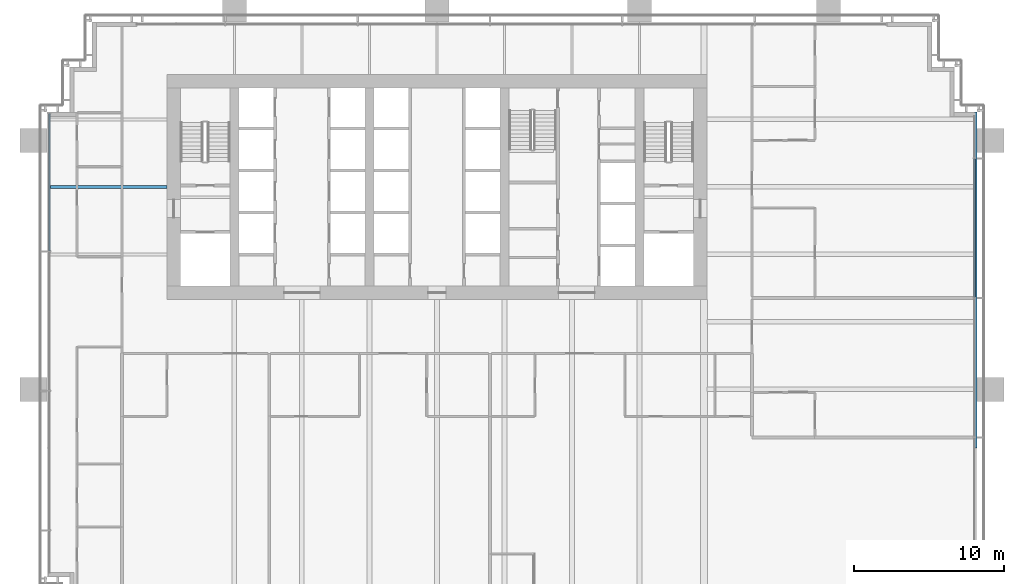
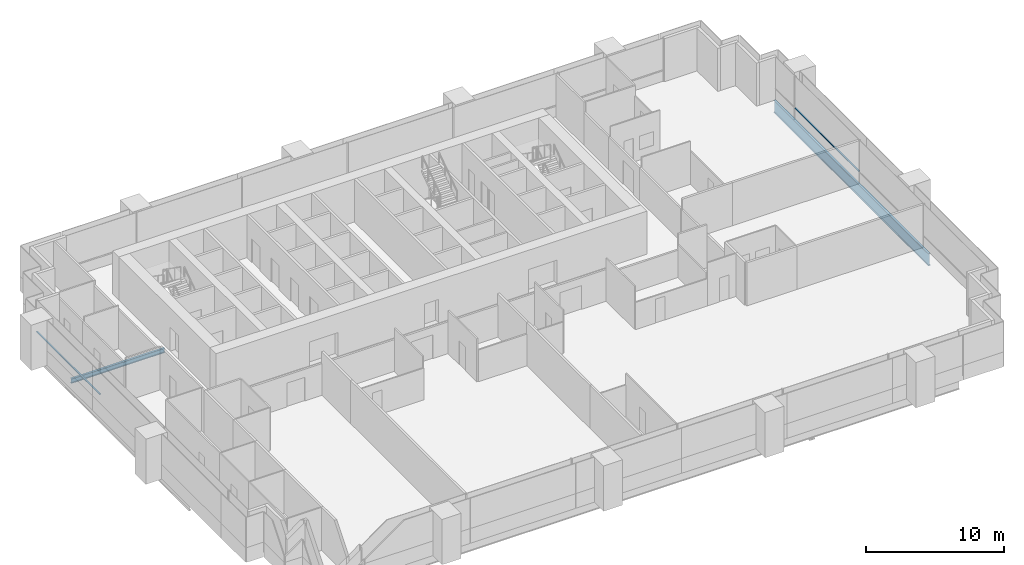
# One storey, part 7 of 19: 2 beams, 2 members, 2 elements without a shape of their own.
"""IFC4 building model written with IfcOpenShell, lengths in metres."""

from ifc_helpers import new_model, si_unit, direction, frame, origin, origin_2d, place, context, subcontext, project, spatial, rectangle, i_section, extrude, material, material_profile, profile_set, type_object, element, aggregate, save


model = new_model("IFC4")

# Units and contexts
model_context = context("Model", 3, precision=1e-05, world=origin(), true_north=direction((0.0, 1.0)))
body_context = subcontext(model_context, "Body", "Model", "MODEL_VIEW")
ifc_project = project(units=[si_unit("LENGTHUNIT", "METRE"), si_unit("AREAUNIT", "SQUARE_METRE"), si_unit("VOLUMEUNIT", "CUBIC_METRE"), si_unit("PLANEANGLEUNIT", "RADIAN"), si_unit("MASSUNIT", "GRAM", prefix="KILO")], contexts=[model_context])

# Site, building, storey
site_placement = place(None, origin())
site = spatial("IfcSite", under=ifc_project, at=site_placement, CompositionType="ELEMENT")
building_placement = place(site_placement, origin())
building = spatial("IfcBuilding", under=site, at=building_placement, Name="Rattan Terrace Tower", CompositionType="ELEMENT")
storey_placement = place(building_placement, frame((0.0, 0.0, 87.699951171875)))
storey = spatial("IfcBuildingStorey", under=building, at=storey_placement, Name="L19", CompositionType="ELEMENT", Elevation=87.699951171875)

# Curtain wall, member
ifc_material_1 = material(Name="Aluminium and glass", Category="aluminium")
curtain_wall_type = type_object("IfcCurtainWallType", Name="Facade Unitised Curtain Wall", PredefinedType="NOTDEFINED", material=ifc_material_1)
curtain_wall_1_placement = place(storey_placement, origin())
curtain_wall_1 = element("IfcCurtainWall", 1, at=curtain_wall_1_placement, inside=storey, type_object=curtain_wall_type, Name="Curtain wall L19-1", PredefinedType="NOTDEFINED")
ifc_material_2 = material(Name="Aluminium", Category="aluminium")
ifc_material_profile_1 = material_profile(ifc_material_2, rectangle(XDim=0.1201171875, YDim=0.06005859375, at=origin_2d()), Name="Aluminium 120x60")
ifc_profile_set_1 = profile_set([ifc_material_profile_1], Name="Aluminium")
member_type = type_object("IfcMemberType", Name="Facade CW Transom 120x60", PredefinedType="USERDEFINED", material=ifc_profile_set_1)
member_1_placement = place(storey_placement, frame((35.830078125, -7.3701171875, 1.0), z_axis=(0.0, 1.0, 0.0), x_axis=(-1.0, 0.0, 0.0)))
member_1 = element("IfcMember", 2, at=member_1_placement, type_object=member_type, Name="Transom cwl-L19-001.3", ObjectType="TRANSOM", PredefinedType="USERDEFINED", context=body_context, shape_type="SweptSolid", body=[
    extrude(rectangle(XDim=0.1201171875, YDim=0.06005859375, at=origin_2d()), origin(), (0.0, 0.0, 1.0), 9.240234375),
])
aggregate(curtain_wall_1, [member_1])

curtain_wall_2_placement = place(storey_placement, origin())
curtain_wall_2 = element("IfcCurtainWall", 3, at=curtain_wall_2_placement, inside=storey, type_object=curtain_wall_type, Name="Curtain wall L19-3", PredefinedType="NOTDEFINED")
member_2_placement = place(storey_placement, frame((-25.830078125, 4.89501953125, 1.0), z_axis=(0.0, -1.0, 0.0), x_axis=(1.0, 0.0, 0.0)))
member_2 = element("IfcMember", 4, at=member_2_placement, type_object=member_type, Name="Transom cwl-L19-003.1", ObjectType="TRANSOM", PredefinedType="USERDEFINED", context=body_context, shape_type="SweptSolid", body=[
    extrude(rectangle(XDim=0.1201171875, YDim=0.06005859375, at=origin_2d()), origin(), (0.0, 0.0, 1.0), 9.1650390625),
])
aggregate(curtain_wall_2, [member_2])

# Beams
ifc_material_3 = material(Name="Steel S460", Category="steel")
ifc_material_profile_2 = material_profile(ifc_material_3, i_section(OverallWidth=0.179931640625, OverallDepth=1.10009765625, WebThickness=0.01611328125, FlangeThickness=0.050048828125, at=origin_2d()), Name="PG 1100x180-16-50")
ifc_profile_set_2 = profile_set([ifc_material_profile_2], Name="Steel S460")
beam_type_1 = type_object("IfcBeamType", Name="Frame edge girder PG 1100x180-16-50", PredefinedType="SPANDREL", material=ifc_profile_set_2)
beam_1_placement = place(storey_placement, frame((35.909912109375, 5.0, -0.75), z_axis=(0.0, -1.0, 0.0), x_axis=(1.0, 0.0, 0.0)))
element("IfcBeam", 5, at=beam_1_placement, inside=storey, type_object=beam_type_1, Name="gdr-L19-005", PredefinedType="SPANDREL", context=body_context, shape_type="SweptSolid", body=[
    extrude(i_section(OverallWidth=0.179931640625, OverallDepth=1.10009765625, WebThickness=0.01611328125, FlangeThickness=0.050048828125, at=origin_2d()), origin(), (0.0, 0.0, 1.0), 22.39990234375),
])
ifc_material_4 = material(Name="Steel S355", Category="steel")
ifc_material_profile_3 = material_profile(ifc_material_4, i_section(OverallWidth=0.179931640625, OverallDepth=0.39990234375, WebThickness=0.008544921875, FlangeThickness=0.013427734375, FilletRadius=0.02099609375, at=origin_2d()), Name="IPE 400")
ifc_profile_set_3 = profile_set([ifc_material_profile_3], Name="Steel S355")
beam_type_2 = type_object("IfcBeamType", Name="Frame floor beam IPE 400", PredefinedType="JOIST", material=ifc_profile_set_3)
beam_2_placement = place(storey_placement, frame((-25.820068359375, 0.0, -0.39990234375), z_axis=(1.0, 0.0, 0.0), x_axis=(0.0, 1.0, 0.0)))
element("IfcBeam", 6, at=beam_2_placement, inside=storey, type_object=beam_type_2, Name="bm-L19-014", PredefinedType="JOIST", context=body_context, shape_type="SweptSolid", body=[
    extrude(i_section(OverallWidth=0.179931640625, OverallDepth=0.39990234375, WebThickness=0.008544921875, FlangeThickness=0.013427734375, FilletRadius=0.02099609375, at=origin_2d()), origin(), (0.0, 0.0, 1.0), 7.820068359375),
])

save(model, "model.ifc")
